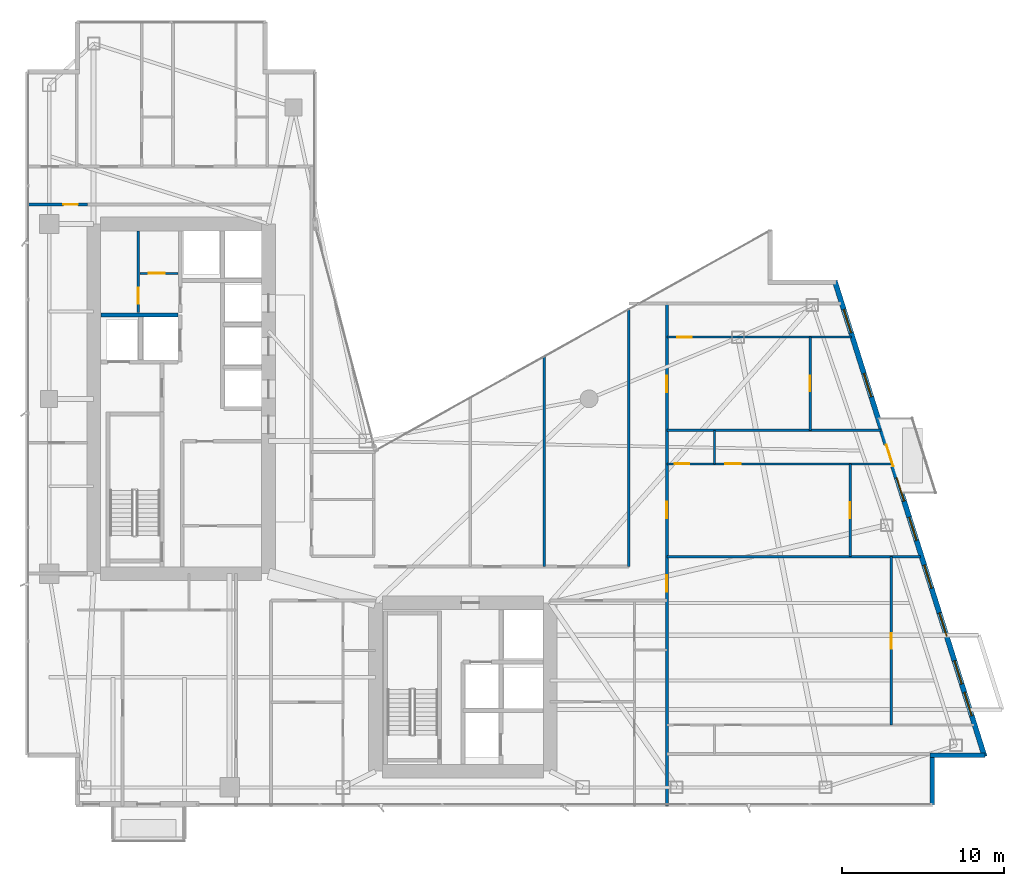
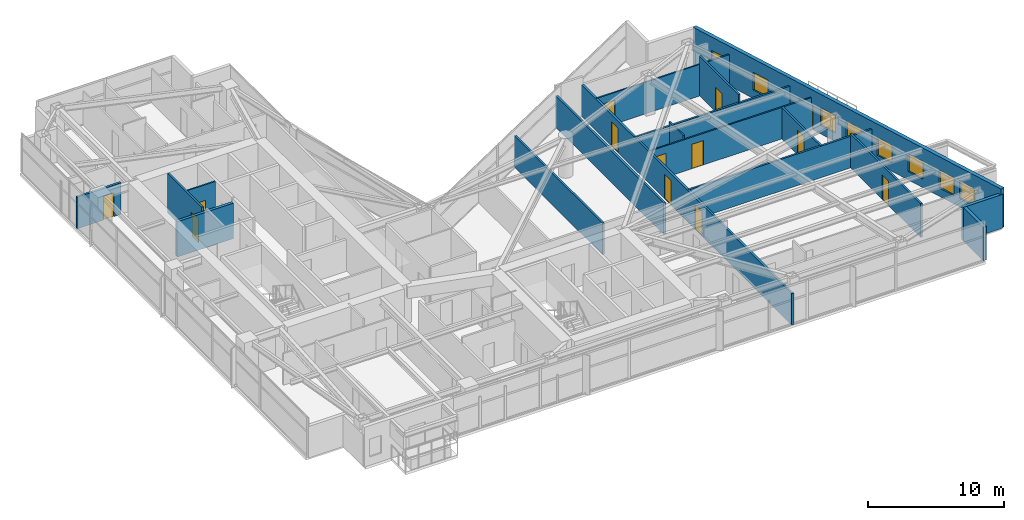
# One storey, part 24 of 28: 18 walls, 13 doors, 8 windows, 21 openings.
"""IFC4 building model written with IfcOpenShell, lengths in metres."""

from ifc_helpers import new_model, si_unit, direction, frame, frame_2d, origin, place, context, subcontext, project, spatial, rectangle, extrude, material, layer, layer_set, type_object, element, fill, save


model = new_model("IFC4")

# Units and contexts
model_context = context("Model", 3, precision=1e-05, world=origin(), true_north=direction((0.0, 1.0)))
body_context = subcontext(model_context, "Body", "Model", "MODEL_VIEW")
ifc_project = project(units=[si_unit("LENGTHUNIT", "METRE"), si_unit("AREAUNIT", "SQUARE_METRE"), si_unit("VOLUMEUNIT", "CUBIC_METRE"), si_unit("PLANEANGLEUNIT", "RADIAN"), si_unit("MASSUNIT", "GRAM", prefix="KILO")], contexts=[model_context])

# Site, building, storey
site_placement = place(None, origin())
site = spatial("IfcSite", under=ifc_project, at=site_placement, CompositionType="ELEMENT")
building_placement = place(site_placement, origin())
building = spatial("IfcBuilding", under=site, at=building_placement, Name="Calvorn Quay Hotel", CompositionType="ELEMENT")
storey_placement = place(building_placement, frame((0.0, 0.0, 116.39990234375)))
storey = spatial("IfcBuildingStorey", under=building, at=storey_placement, Name="L28", CompositionType="ELEMENT", Elevation=116.39990234375)

# Wall, opening, door
ifc_material_1 = material(Name="Acoustic Fireboard Steel-Stud Partition", Category="steel")
ifc_layer_1 = layer(ifc_material_1, 0.179931640625)
ifc_layer_set_1 = layer_set([ifc_layer_1], Name="WL-CORR-FIRE-180")
wall_type_1 = type_object("IfcWallType", Name="WL-CORR-FIRE-180", PredefinedType="PARTITIONING", material=ifc_layer_set_1)
wall_1_placement = place(storey_placement, frame((0.080078125, 39.60009765625, 0.0), z_axis=(0.0, 0.0, 1.0), x_axis=(1.0, 0.0, 0.0)))
wall_1 = element("IfcWall", 1, at=wall_1_placement, inside=storey, type_object=wall_type_1, Name="Partition Wall L28-WL-WBAY-N-DOOR", PredefinedType="PARTITIONING", context=body_context, shape_type="SweptSolid", body=[
    extrude(rectangle(XDim=3.724853515625, YDim=0.179931640625, at=frame_2d((1.8623046875, 0.0))), origin(), (0.0, 0.0, 1.0), 2.840087890625),
])
opening_1_placement = place(wall_1_placement, frame((2.25, 0.0, 0.0)))
opening_1 = element("IfcOpeningElement", 2, at=opening_1_placement, cuts=wall_1, Name="Opening D-L28-WBN", PredefinedType="OPENING", context=body_context, shape_type="SweptSolid", body=[
    extrude(rectangle(XDim=0.89990234375, YDim=2.14990234375, at=frame_2d((0.449951171875, 1.074951171875))), frame((0.0, 0.099853515625, 0.0), z_axis=(0.0, -1.0, 0.0), x_axis=(1.0, 0.0, 0.0)), (0.0, 0.0, 1.0), 0.199951171875),
])
ifc_material_2 = material(Name="Moisture-Sealed Timber En-Suite Door", Category="wood")
door_type_1 = type_object("IfcDoorType", Name="DR-ENSUITE-900", OperationType="NOTDEFINED", PredefinedType="DOOR", material=ifc_material_2)
door_1_placement = place(opening_1_placement, origin())
door_1 = element("IfcDoor", 3, at=door_1_placement, inside=storey, type_object=door_type_1, Name="West North Bay Door (L28)", OperationType="SINGLE_SWING_LEFT", OverallHeight=2.14990234375, OverallWidth=0.89990234375, PredefinedType="DOOR", context=body_context, shape_type="SweptSolid", body=[
    extrude(rectangle(XDim=0.89990234375, YDim=2.14990234375, at=frame_2d((0.449951171875, 1.074951171875))), frame((0.0, 0.02490234375, 0.0), z_axis=(0.0, -1.0, 0.0), x_axis=(1.0, 0.0, 0.0)), (0.0, 0.0, 1.0), 0.050048828125),
])
fill(opening_1, door_1)

# Wall
wall_2_placement = place(storey_placement, frame((37.25, 17.25, 0.0), z_axis=(0.0, 0.0, 1.0), x_axis=(0.0, 1.0, 0.0)))
element("IfcWall", 4, at=wall_2_placement, inside=storey, type_object=wall_type_1, Name="Partition Wall L28-WL-NE-END-E", PredefinedType="PARTITIONING", context=body_context, shape_type="SweptSolid", body=[
    extrude(rectangle(XDim=15.949951171875, YDim=0.179931640625, at=frame_2d((7.97509765625, 0.0))), origin(), (0.0, 0.0, 1.0), 2.840087890625),
])

# Wall, openings, doors
wall_3_placement = place(storey_placement, frame((39.60009765625, 2.43994140625, 0.0), z_axis=(0.0, 0.0, 1.0), x_axis=(0.0, 1.0, 0.0)))
wall_3 = element("IfcWall", 5, at=wall_3_placement, inside=storey, type_object=wall_type_1, Name="Partition Wall L28-WL-CORR-TIP-E", PredefinedType="PARTITIONING", context=body_context, shape_type="SweptSolid", body=[
    extrude(rectangle(XDim=31.0400390625, YDim=0.179931640625, at=frame_2d((15.52001953125, 0.0))), origin(), (0.0, 0.0, 1.0), 2.840087890625),
])
opening_2_placement = place(wall_3_placement, frame((13.260009765625, 0.0, 0.0)))
opening_2 = element("IfcOpeningElement", 6, at=opening_2_placement, cuts=wall_3, Name="Opening D-L28-U06", PredefinedType="OPENING", context=body_context, shape_type="SweptSolid", body=[
    extrude(rectangle(XDim=1.02001953125, YDim=2.199951171875, at=frame_2d((0.510009765625, 1.10009765625))), frame((0.0, 0.099853515625, 0.0), z_axis=(0.0, -1.0, 0.0), x_axis=(1.0, 0.0, 0.0)), (0.0, 0.0, 1.0), 0.199951171875),
])
opening_3_placement = place(wall_3_placement, frame((17.77001953125, 0.0, 0.0)))
opening_3 = element("IfcOpeningElement", 7, at=opening_3_placement, cuts=wall_3, Name="Opening D-L28-U07", PredefinedType="OPENING", context=body_context, shape_type="SweptSolid", body=[
    extrude(rectangle(XDim=1.02001953125, YDim=2.199951171875, at=frame_2d((0.510009765625, 1.10009765625))), frame((0.0, 0.099853515625, 0.0), z_axis=(0.0, -1.0, 0.0), x_axis=(1.0, 0.0, 0.0)), (0.0, 0.0, 1.0), 0.199951171875),
])
opening_4_placement = place(wall_3_placement, frame((25.580078125, 0.0, 0.0)))
opening_4 = element("IfcOpeningElement", 8, at=opening_4_placement, cuts=wall_3, Name="Opening D-L28-U08", PredefinedType="OPENING", context=body_context, shape_type="SweptSolid", body=[
    extrude(rectangle(XDim=1.02001953125, YDim=2.199951171875, at=frame_2d((0.510009765625, 1.10009765625))), frame((0.0, 0.099853515625, 0.0), z_axis=(0.0, -1.0, 0.0), x_axis=(1.0, 0.0, 0.0)), (0.0, 0.0, 1.0), 0.199951171875),
])
ifc_material_3 = material(Name="Solid-Core Walnut Veneer Hotel Fire Door")
door_type_2 = type_object("IfcDoorType", Name="DR-GUEST-ENTRY-1020", OperationType="NOTDEFINED", PredefinedType="DOOR", material=ifc_material_3)
door_2_placement = place(opening_2_placement, origin())
door_2 = element("IfcDoor", 9, at=door_2_placement, inside=storey, type_object=door_type_2, Name="Terrace Suite Door U06 (L28)", OperationType="SINGLE_SWING_LEFT", OverallHeight=2.199951171875, OverallWidth=1.02001953125, PredefinedType="DOOR", context=body_context, shape_type="SweptSolid", body=[
    extrude(rectangle(XDim=1.02001953125, YDim=2.199951171875, at=frame_2d((0.510009765625, 1.10009765625))), frame((0.0, 0.02490234375, 0.0), z_axis=(0.0, -1.0, 0.0), x_axis=(1.0, 0.0, 0.0)), (0.0, 0.0, 1.0), 0.050048828125),
])
fill(opening_2, door_2)
door_3_placement = place(opening_3_placement, origin())
door_3 = element("IfcDoor", 10, at=door_3_placement, inside=storey, type_object=door_type_2, Name="Mid-East Suite Door U07 (L28)", OperationType="SINGLE_SWING_RIGHT", OverallHeight=2.199951171875, OverallWidth=1.02001953125, PredefinedType="DOOR", context=body_context, shape_type="SweptSolid", body=[
    extrude(rectangle(XDim=1.02001953125, YDim=2.199951171875, at=frame_2d((0.510009765625, 1.10009765625))), frame((0.0, 0.02490234375, 0.0), z_axis=(0.0, -1.0, 0.0), x_axis=(1.0, 0.0, 0.0)), (0.0, 0.0, 1.0), 0.050048828125),
])
fill(opening_3, door_3)
door_4_placement = place(opening_4_placement, origin())
door_4 = element("IfcDoor", 11, at=door_4_placement, inside=storey, type_object=door_type_2, Name="Horizon Suite Door U08 (L28)", OperationType="SINGLE_SWING_LEFT", OverallHeight=2.199951171875, OverallWidth=1.02001953125, PredefinedType="DOOR", context=body_context, shape_type="SweptSolid", body=[
    extrude(rectangle(XDim=1.02001953125, YDim=2.199951171875, at=frame_2d((0.510009765625, 1.10009765625))), frame((0.0, 0.02490234375, 0.0), z_axis=(0.0, -1.0, 0.0), x_axis=(1.0, 0.0, 0.0)), (0.0, 0.0, 1.0), 0.050048828125),
])
fill(opening_4, door_4)

# Wall, opening, door
ifc_material_4 = material(Name="Moisture-Resistant Tile-Backed Partition")
ifc_layer_2 = layer(ifc_material_4, 0.125)
ifc_layer_set_2 = layer_set([ifc_layer_2], Name="WL-ENSUITE-125")
wall_type_2 = type_object("IfcWallType", Name="WL-ENSUITE-125", PredefinedType="PARTITIONING", material=ifc_layer_set_2)
wall_4_placement = place(storey_placement, frame((7.050048828125, 35.35009765625, 0.0), z_axis=(0.0, 0.0, 1.0), x_axis=(1.0, 0.0, 0.0)))
wall_4 = element("IfcWall", 12, at=wall_4_placement, inside=storey, type_object=wall_type_2, Name="Partition Wall L28-WL-CWW-K-H", PredefinedType="PARTITIONING", context=body_context, shape_type="SweptSolid", body=[
    extrude(rectangle(XDim=2.369873046875, YDim=0.125, at=frame_2d((1.18505859375, 0.0))), origin(), (0.0, 0.0, 1.0), 3.56005859375),
])
opening_5_placement = place(wall_4_placement, frame((0.550048828125, 0.0, 0.0)))
opening_5 = element("IfcOpeningElement", 13, at=opening_5_placement, cuts=wall_4, Name="Opening D-L28-CK3", PredefinedType="OPENING", context=body_context, shape_type="SweptSolid", body=[
    extrude(rectangle(XDim=0.97998046875, YDim=2.14990234375, at=frame_2d((0.489990234375, 1.074951171875))), frame((0.0, 0.072509765625, 0.0), z_axis=(0.0, -1.0, 0.0), x_axis=(1.0, 0.0, 0.0)), (0.0, 0.0, 1.0), 0.14501953125),
])
ifc_material_5 = material(Name="Painted Steel Housekeeping/Riser Fire Door", Category="steel")
door_type_3 = type_object("IfcDoorType", Name="DR-SERVICE-980", OperationType="NOTDEFINED", PredefinedType="DOOR", material=ifc_material_5)
door_5_placement = place(opening_5_placement, origin())
door_5 = element("IfcDoor", 14, at=door_5_placement, inside=storey, type_object=door_type_3, Name="Telecom Closet Door (L28)", OperationType="SINGLE_SWING_RIGHT", OverallHeight=2.14990234375, OverallWidth=0.97998046875, PredefinedType="DOOR", context=body_context, shape_type="SweptSolid", body=[
    extrude(rectangle(XDim=0.97998046875, YDim=2.14990234375, at=frame_2d((0.489990234375, 1.074951171875))), frame((0.0, 0.02490234375, 0.0), z_axis=(0.0, -1.0, 0.0), x_axis=(1.0, 0.0, 0.0)), (0.0, 0.0, 1.0), 0.050048828125),
])
fill(opening_5, door_5)

# Wall
wall_5_placement = place(storey_placement, frame((42.550048828125, 23.590087890625, 0.0), z_axis=(0.0, 0.0, 1.0), x_axis=(0.0, 1.0, 0.0)))
element("IfcWall", 15, at=wall_5_placement, inside=storey, type_object=wall_type_2, Name="Partition Wall L28-WL-U07-BDV", PredefinedType="PARTITIONING", context=body_context, shape_type="SweptSolid", body=[
    extrude(rectangle(XDim=2.06982421875, YDim=0.125, at=frame_2d((1.034912109375, 0.0))), origin(), (0.0, 0.0, 1.0), 3.190185546875),
])

# Wall, openings, doors
wall_6_placement = place(storey_placement, frame((39.60009765625, 23.590087890625, 0.0), z_axis=(0.0, 0.0, 1.0), x_axis=(1.0, 0.0, 0.0)))
wall_6 = element("IfcWall", 16, at=wall_6_placement, inside=storey, type_object=wall_type_2, Name="Partition Wall L28-WL-U07-BH", PredefinedType="PARTITIONING", context=body_context, shape_type="SweptSolid", body=[
    extrude(rectangle(XDim=13.869873046875, YDim=0.125, at=frame_2d((6.93505859375, 0.0))), origin(), (0.0, 0.0, 1.0), 2.840087890625),
])
opening_6_placement = place(wall_6_placement, frame((0.5, 0.0, 0.0)))
opening_6 = element("IfcOpeningElement", 17, at=opening_6_placement, cuts=wall_6, Name="Opening D-L28-E07", PredefinedType="OPENING", context=body_context, shape_type="SweptSolid", body=[
    extrude(rectangle(XDim=0.89990234375, YDim=2.14990234375, at=frame_2d((0.449951171875, 1.074951171875))), frame((0.0, 0.072509765625, 0.0), z_axis=(0.0, -1.0, 0.0), x_axis=(1.0, 0.0, 0.0)), (0.0, 0.0, 1.0), 0.14501953125),
])
opening_7_placement = place(wall_6_placement, frame((3.60009765625, 0.0, 0.0)))
opening_7 = element("IfcOpeningElement", 18, at=opening_7_placement, cuts=wall_6, Name="Opening D-L28-S07", PredefinedType="OPENING", context=body_context, shape_type="SweptSolid", body=[
    extrude(rectangle(XDim=0.9599609375, YDim=2.199951171875, at=frame_2d((0.47998046875, 1.10009765625))), frame((0.0, 0.072509765625, 0.0), z_axis=(0.0, -1.0, 0.0), x_axis=(1.0, 0.0, 0.0)), (0.0, 0.0, 1.0), 0.14501953125),
])
door_6_placement = place(opening_6_placement, origin())
door_6 = element("IfcDoor", 19, at=door_6_placement, inside=storey, type_object=door_type_1, Name="En-Suite Door 07", OperationType="SINGLE_SWING_LEFT", OverallHeight=2.14990234375, OverallWidth=0.89990234375, PredefinedType="DOOR", context=body_context, shape_type="SweptSolid", body=[
    extrude(rectangle(XDim=0.89990234375, YDim=2.14990234375, at=frame_2d((0.449951171875, 1.074951171875))), frame((0.0, 0.02490234375, 0.0), z_axis=(0.0, -1.0, 0.0), x_axis=(1.0, 0.0, 0.0)), (0.0, 0.0, 1.0), 0.050048828125),
])
fill(opening_6, door_6)
ifc_material_6 = material(Name="Solid Timber Internal Suite Door", Category="wood")
door_type_4 = type_object("IfcDoorType", Name="DR-SUITE-INT-960", OperationType="NOTDEFINED", PredefinedType="DOOR", material=ifc_material_6)
door_7_placement = place(opening_7_placement, origin())
door_7 = element("IfcDoor", 20, at=door_7_placement, inside=storey, type_object=door_type_4, Name="Executive Study Door 07", OperationType="SINGLE_SWING_RIGHT", OverallHeight=2.199951171875, OverallWidth=0.9599609375, PredefinedType="DOOR", context=body_context, shape_type="SweptSolid", body=[
    extrude(rectangle(XDim=0.9599609375, YDim=2.199951171875, at=frame_2d((0.47998046875, 1.10009765625))), frame((0.0, 0.02490234375, 0.0), z_axis=(0.0, -1.0, 0.0), x_axis=(1.0, 0.0, 0.0)), (0.0, 0.0, 1.0), 0.050048828125),
])
fill(opening_7, door_7)

# Wall, opening, door
wall_7_placement = place(storey_placement, frame((39.60009765625, 31.409912109375, 0.0), z_axis=(0.0, 0.0, 1.0), x_axis=(1.0, 0.0, 0.0)))
wall_7 = element("IfcWall", 21, at=wall_7_placement, inside=storey, type_object=wall_type_2, Name="Partition Wall L28-WL-U08-BH", PredefinedType="PARTITIONING", context=body_context, shape_type="SweptSolid", body=[
    extrude(rectangle(XDim=11.409912109375, YDim=0.125, at=frame_2d((5.705078125, 0.0))), origin(), (0.0, 0.0, 1.0), 2.840087890625),
])
opening_8_placement = place(wall_7_placement, frame((0.64990234375, 0.0, 0.0)))
opening_8 = element("IfcOpeningElement", 22, at=opening_8_placement, cuts=wall_7, Name="Opening D-L28-E08", PredefinedType="OPENING", context=body_context, shape_type="SweptSolid", body=[
    extrude(rectangle(XDim=0.89990234375, YDim=2.14990234375, at=frame_2d((0.449951171875, 1.074951171875))), frame((0.0, 0.072509765625, 0.0), z_axis=(0.0, -1.0, 0.0), x_axis=(1.0, 0.0, 0.0)), (0.0, 0.0, 1.0), 0.14501953125),
])
door_8_placement = place(opening_8_placement, origin())
door_8 = element("IfcDoor", 23, at=door_8_placement, inside=storey, type_object=door_type_1, Name="En-Suite Door 08", OperationType="SINGLE_SWING_LEFT", OverallHeight=2.14990234375, OverallWidth=0.89990234375, PredefinedType="DOOR", context=body_context, shape_type="SweptSolid", body=[
    extrude(rectangle(XDim=0.89990234375, YDim=2.14990234375, at=frame_2d((0.449951171875, 1.074951171875))), frame((0.0, 0.02490234375, 0.0), z_axis=(0.0, -1.0, 0.0), x_axis=(1.0, 0.0, 0.0)), (0.0, 0.0, 1.0), 0.050048828125),
])
fill(opening_8, door_8)

# Walls
ifc_material_7 = material(Name="Concrete C40", Category="concrete")
ifc_layer_3 = layer(ifc_material_7, 0.320068359375)
ifc_layer_set_3 = layer_set([ifc_layer_3], Name="WL-EXT-SPANDREL-320")
wall_type_3 = type_object("IfcWallType", Name="WL-EXT-SPANDREL-320", PredefinedType="SOLIDWALL", material=ifc_layer_set_3)
wall_8_placement = place(storey_placement, frame((56.0, 2.52001953125, 0.0), z_axis=(0.0, 0.0, 1.0), x_axis=(0.0, 1.0, 0.0)))
element("IfcWall", 24, at=wall_8_placement, inside=storey, type_object=wall_type_3, Name="Notched Corner Spandrel L28-SE1", PredefinedType="SOLIDWALL", context=body_context, shape_type="SweptSolid", body=[
    extrude(rectangle(XDim=2.93994140625, YDim=0.280029296875, at=frame_2d((1.469970703125, 0.0))), origin(), (0.0, 0.0, 1.0), 3.0400390625),
])
wall_9_placement = place(storey_placement, frame((55.860107421875, 5.60009765625, 0.0), z_axis=(0.0, 0.0, 1.0), x_axis=(1.0, 0.0, 0.0)))
element("IfcWall", 25, at=wall_9_placement, inside=storey, type_object=wall_type_3, Name="Notched Corner Spandrel L28-SE2", PredefinedType="SOLIDWALL", context=body_context, shape_type="SweptSolid", body=[
    extrude(rectangle(XDim=3.3798828125, YDim=0.280029296875, at=frame_2d((1.68994140625, 0.0))), origin(), (0.0, 0.0, 1.0), 3.0400390625),
])

# Wall, openings, door, windows
wall_10_placement = place(storey_placement, frame((59.22998046875, 5.5048828125, 0.0), z_axis=(0.0, 0.0, 1.0), x_axis=(-0.300509063924, 0.953778958931, 0.0)))
wall_10 = element("IfcWall", 26, at=wall_10_placement, inside=storey, type_object=wall_type_3, Name="East Stepped Waterfront Exterior Wall (L28)", PredefinedType="SOLIDWALL", context=body_context, shape_type="SweptSolid", body=[
    extrude(rectangle(XDim=30.814453125, YDim=0.320068359375, at=frame_2d((15.4072265625, 0.0))), origin(), (0.0, 0.0, 1.0), 3.56005859375),
])
opening_9_placement = place(wall_10_placement, frame((18.7958984375, 0.0, 0.0)))
opening_9 = element("IfcOpeningElement", 27, at=opening_9_placement, cuts=wall_10, Name="Opening DB-L28-1", PredefinedType="OPENING", context=body_context, shape_type="SweptSolid", body=[
    extrude(rectangle(XDim=1.39990234375, YDim=2.25, at=frame_2d((0.699951171875, 1.125))), frame((0.0, 0.169921875, 0.0), z_axis=(0.0, -1.0, 0.0), x_axis=(1.0, 0.0, 0.0)), (0.0, 0.0, 1.0), 0.340087890625),
])
opening_10_placement = place(wall_10_placement, frame((2.64990234375, 0.0, 0.75)))
opening_10 = element("IfcOpeningElement", 28, at=opening_10_placement, cuts=wall_10, Name="Opening WG-L28-E1", PredefinedType="OPENING", context=body_context, shape_type="SweptSolid", body=[
    extrude(rectangle(XDim=1.5, YDim=1.60009765625, at=frame_2d((0.75, 0.800048828125))), frame((0.0, 0.169921875, 0.0), z_axis=(0.0, -1.0, 0.0), x_axis=(1.0, 0.0, 0.0)), (0.0, 0.0, 1.0), 0.340087890625),
])
opening_11_placement = place(wall_10_placement, frame((4.699951171875, 0.0, 0.75)))
opening_11 = element("IfcOpeningElement", 29, at=opening_11_placement, cuts=wall_10, Name="Opening WG-L28-E2", PredefinedType="OPENING", context=body_context, shape_type="SweptSolid", body=[
    extrude(rectangle(XDim=1.5, YDim=1.60009765625, at=frame_2d((0.75, 0.800048828125))), frame((0.0, 0.169921875, 0.0), z_axis=(0.0, -1.0, 0.0), x_axis=(1.0, 0.0, 0.0)), (0.0, 0.0, 1.0), 0.340087890625),
])
opening_12_placement = place(wall_10_placement, frame((7.800048828125, 0.0, 0.75)))
opening_12 = element("IfcOpeningElement", 30, at=opening_12_placement, cuts=wall_10, Name="Opening WG-L28-E3", PredefinedType="OPENING", context=body_context, shape_type="SweptSolid", body=[
    extrude(rectangle(XDim=1.5, YDim=1.60009765625, at=frame_2d((0.75, 0.800048828125))), frame((0.0, 0.169921875, 0.0), z_axis=(0.0, -1.0, 0.0), x_axis=(1.0, 0.0, 0.0)), (0.0, 0.0, 1.0), 0.340087890625),
])
opening_13_placement = place(wall_10_placement, frame((10.89990234375, 0.0, 0.75)))
opening_13 = element("IfcOpeningElement", 31, at=opening_13_placement, cuts=wall_10, Name="Opening WG-L28-E4", PredefinedType="OPENING", context=body_context, shape_type="SweptSolid", body=[
    extrude(rectangle(XDim=1.5, YDim=1.60009765625, at=frame_2d((0.75, 0.800048828125))), frame((0.0, 0.169921875, 0.0), z_axis=(0.0, -1.0, 0.0), x_axis=(1.0, 0.0, 0.0)), (0.0, 0.0, 1.0), 0.340087890625),
])
opening_14_placement = place(wall_10_placement, frame((14.0, 0.0, 0.75)))
opening_14 = element("IfcOpeningElement", 32, at=opening_14_placement, cuts=wall_10, Name="Opening WG-L28-E5", PredefinedType="OPENING", context=body_context, shape_type="SweptSolid", body=[
    extrude(rectangle(XDim=1.5, YDim=1.60009765625, at=frame_2d((0.75, 0.800048828125))), frame((0.0, 0.169921875, 0.0), z_axis=(0.0, -1.0, 0.0), x_axis=(1.0, 0.0, 0.0)), (0.0, 0.0, 1.0), 0.340087890625),
])
opening_15_placement = place(wall_10_placement, frame((16.550048828125, 0.0, 0.75)))
opening_15 = element("IfcOpeningElement", 33, at=opening_15_placement, cuts=wall_10, Name="Opening WG-L28-E6", PredefinedType="OPENING", context=body_context, shape_type="SweptSolid", body=[
    extrude(rectangle(XDim=1.5, YDim=1.60009765625, at=frame_2d((0.75, 0.800048828125))), frame((0.0, 0.169921875, 0.0), z_axis=(0.0, -1.0, 0.0), x_axis=(1.0, 0.0, 0.0)), (0.0, 0.0, 1.0), 0.340087890625),
])
opening_16_placement = place(wall_10_placement, frame((23.300048828125, 0.0, 0.75)))
opening_16 = element("IfcOpeningElement", 34, at=opening_16_placement, cuts=wall_10, Name="Opening WG-L28-E7", PredefinedType="OPENING", context=body_context, shape_type="SweptSolid", body=[
    extrude(rectangle(XDim=1.5, YDim=1.60009765625, at=frame_2d((0.75, 0.800048828125))), frame((0.0, 0.169921875, 0.0), z_axis=(0.0, -1.0, 0.0), x_axis=(1.0, 0.0, 0.0)), (0.0, 0.0, 1.0), 0.340087890625),
])
opening_17_placement = place(wall_10_placement, frame((27.449951171875, 0.0, 0.75)))
opening_17 = element("IfcOpeningElement", 35, at=opening_17_placement, cuts=wall_10, Name="Opening WG-L28-E8", PredefinedType="OPENING", context=body_context, shape_type="SweptSolid", body=[
    extrude(rectangle(XDim=1.5, YDim=1.60009765625, at=frame_2d((0.75, 0.800048828125))), frame((0.0, 0.169921875, 0.0), z_axis=(0.0, -1.0, 0.0), x_axis=(1.0, 0.0, 0.0)), (0.0, 0.0, 1.0), 0.340087890625),
])
ifc_material_8 = material(Name="Typhoon-Rated Low-E Aluminium Terrace Door", Category="aluminium")
door_type_5 = type_object("IfcDoorType", Name="DR-BALCONY-GLZ-1400", OperationType="NOTDEFINED", PredefinedType="DOOR", material=ifc_material_8)
door_9_placement = place(opening_9_placement, origin())
door_9 = element("IfcDoor", 36, at=door_9_placement, inside=storey, type_object=door_type_5, Name="Tree Balcony Terrace Door L28-BALC-E", OperationType="SINGLE_SWING_LEFT", OverallHeight=2.25, OverallWidth=1.39990234375, PredefinedType="DOOR", context=body_context, shape_type="SweptSolid", body=[
    extrude(rectangle(XDim=1.39990234375, YDim=2.25, at=frame_2d((0.699951171875, 1.125))), frame((0.0, 0.02490234375, 0.0), z_axis=(0.0, -1.0, 0.0), x_axis=(1.0, 0.0, 0.0)), (0.0, 0.0, 1.0), 0.050048828125),
])
fill(opening_9, door_9)
ifc_material_9 = material(Name="Self-Closing Class B Fire Window")
window_type = type_object("IfcWindowType", Name="WIN-REFUGE-1500x1600", PartitioningType="SINGLE_PANEL", PredefinedType="WINDOW", material=ifc_material_9)
window_1_placement = place(opening_10_placement, origin())
window_1 = element("IfcWindow", 37, at=window_1_placement, inside=storey, type_object=window_type, Name="East Facade Window L28-E1", OverallHeight=1.60009765625, OverallWidth=1.5, PartitioningType="SINGLE_PANEL", PredefinedType="WINDOW", context=body_context, shape_type="SweptSolid", body=[
    extrude(rectangle(XDim=1.5, YDim=1.60009765625, at=frame_2d((0.75, 0.800048828125))), frame((0.0, 0.030029296875, 0.0), z_axis=(0.0, -1.0, 0.0), x_axis=(1.0, 0.0, 0.0)), (0.0, 0.0, 1.0), 0.06005859375),
])
fill(opening_10, window_1)
window_2_placement = place(opening_11_placement, origin())
window_2 = element("IfcWindow", 38, at=window_2_placement, inside=storey, type_object=window_type, Name="East Facade Window L28-E2", OverallHeight=1.60009765625, OverallWidth=1.5, PartitioningType="SINGLE_PANEL", PredefinedType="WINDOW", context=body_context, shape_type="SweptSolid", body=[
    extrude(rectangle(XDim=1.5, YDim=1.60009765625, at=frame_2d((0.75, 0.800048828125))), frame((0.0, 0.030029296875, 0.0), z_axis=(0.0, -1.0, 0.0), x_axis=(1.0, 0.0, 0.0)), (0.0, 0.0, 1.0), 0.06005859375),
])
fill(opening_11, window_2)
window_3_placement = place(opening_12_placement, origin())
window_3 = element("IfcWindow", 39, at=window_3_placement, inside=storey, type_object=window_type, Name="East Facade Window L28-E3", OverallHeight=1.60009765625, OverallWidth=1.5, PartitioningType="SINGLE_PANEL", PredefinedType="WINDOW", context=body_context, shape_type="SweptSolid", body=[
    extrude(rectangle(XDim=1.5, YDim=1.60009765625, at=frame_2d((0.75, 0.800048828125))), frame((0.0, 0.030029296875, 0.0), z_axis=(0.0, -1.0, 0.0), x_axis=(1.0, 0.0, 0.0)), (0.0, 0.0, 1.0), 0.06005859375),
])
fill(opening_12, window_3)
window_4_placement = place(opening_13_placement, origin())
window_4 = element("IfcWindow", 40, at=window_4_placement, inside=storey, type_object=window_type, Name="East Facade Window L28-E4", OverallHeight=1.60009765625, OverallWidth=1.5, PartitioningType="SINGLE_PANEL", PredefinedType="WINDOW", context=body_context, shape_type="SweptSolid", body=[
    extrude(rectangle(XDim=1.5, YDim=1.60009765625, at=frame_2d((0.75, 0.800048828125))), frame((0.0, 0.030029296875, 0.0), z_axis=(0.0, -1.0, 0.0), x_axis=(1.0, 0.0, 0.0)), (0.0, 0.0, 1.0), 0.06005859375),
])
fill(opening_13, window_4)
window_5_placement = place(opening_14_placement, origin())
window_5 = element("IfcWindow", 41, at=window_5_placement, inside=storey, type_object=window_type, Name="East Facade Window L28-E5", OverallHeight=1.60009765625, OverallWidth=1.5, PartitioningType="SINGLE_PANEL", PredefinedType="WINDOW", context=body_context, shape_type="SweptSolid", body=[
    extrude(rectangle(XDim=1.5, YDim=1.60009765625, at=frame_2d((0.75, 0.800048828125))), frame((0.0, 0.030029296875, 0.0), z_axis=(0.0, -1.0, 0.0), x_axis=(1.0, 0.0, 0.0)), (0.0, 0.0, 1.0), 0.06005859375),
])
fill(opening_14, window_5)
window_6_placement = place(opening_15_placement, origin())
window_6 = element("IfcWindow", 42, at=window_6_placement, inside=storey, type_object=window_type, Name="East Facade Window L28-E6", OverallHeight=1.60009765625, OverallWidth=1.5, PartitioningType="SINGLE_PANEL", PredefinedType="WINDOW", context=body_context, shape_type="SweptSolid", body=[
    extrude(rectangle(XDim=1.5, YDim=1.60009765625, at=frame_2d((0.75, 0.800048828125))), frame((0.0, 0.030029296875, 0.0), z_axis=(0.0, -1.0, 0.0), x_axis=(1.0, 0.0, 0.0)), (0.0, 0.0, 1.0), 0.06005859375),
])
fill(opening_15, window_6)
window_7_placement = place(opening_16_placement, origin())
window_7 = element("IfcWindow", 43, at=window_7_placement, inside=storey, type_object=window_type, Name="East Facade Window L28-E7", OverallHeight=1.60009765625, OverallWidth=1.5, PartitioningType="SINGLE_PANEL", PredefinedType="WINDOW", context=body_context, shape_type="SweptSolid", body=[
    extrude(rectangle(XDim=1.5, YDim=1.60009765625, at=frame_2d((0.75, 0.800048828125))), frame((0.0, 0.030029296875, 0.0), z_axis=(0.0, -1.0, 0.0), x_axis=(1.0, 0.0, 0.0)), (0.0, 0.0, 1.0), 0.06005859375),
])
fill(opening_16, window_7)
window_8_placement = place(opening_17_placement, origin())
window_8 = element("IfcWindow", 44, at=window_8_placement, inside=storey, type_object=window_type, Name="East Facade Window L28-E8", OverallHeight=1.60009765625, OverallWidth=1.5, PartitioningType="SINGLE_PANEL", PredefinedType="WINDOW", context=body_context, shape_type="SweptSolid", body=[
    extrude(rectangle(XDim=1.5, YDim=1.60009765625, at=frame_2d((0.75, 0.800048828125))), frame((0.0, 0.030029296875, 0.0), z_axis=(0.0, -1.0, 0.0), x_axis=(1.0, 0.0, 0.0)), (0.0, 0.0, 1.0), 0.06005859375),
])
fill(opening_17, window_8)

# Wall, opening, door
ifc_material_10 = material(Name="Double-Stud Acoustic Gypsum Partition")
ifc_layer_4 = layer(ifc_material_10, 0.159912109375)
ifc_layer_set_4 = layer_set([ifc_layer_4], Name="WL-INTERSUITE-160")
wall_type_4 = type_object("IfcWallType", Name="WL-INTERSUITE-160", PredefinedType="PARTITIONING", material=ifc_layer_set_4)
wall_11_placement = place(storey_placement, frame((6.949951171875, 32.919921875, 0.0), z_axis=(0.0, 0.0, 1.0), x_axis=(0.0, 1.0, 0.0)))
wall_11 = element("IfcWall", 45, at=wall_11_placement, inside=storey, type_object=wall_type_4, Name="Partition Wall L28-WL-CWW-K-V", PredefinedType="PARTITIONING", context=body_context, shape_type="SweptSolid", body=[
    extrude(rectangle(XDim=5.03515625, YDim=0.159912109375, at=frame_2d((2.517578125, 0.0))), origin(), (0.0, 0.0, 1.0), 3.56005859375),
])
opening_18_placement = place(wall_11_placement, frame((0.550048828125, 0.0, 0.0)))
opening_18 = element("IfcOpeningElement", 46, at=opening_18_placement, cuts=wall_11, Name="Opening D-L28-CK1", PredefinedType="OPENING", context=body_context, shape_type="SweptSolid", body=[
    extrude(rectangle(XDim=0.97998046875, YDim=2.14990234375, at=frame_2d((0.489990234375, 1.074951171875))), frame((0.0, 0.08984375, 0.0), z_axis=(0.0, -1.0, 0.0), x_axis=(1.0, 0.0, 0.0)), (0.0, 0.0, 1.0), 0.179931640625),
])
door_10_placement = place(opening_18_placement, origin())
door_10 = element("IfcDoor", 47, at=door_10_placement, inside=storey, type_object=door_type_3, Name="Pipe Riser Door (L28)", OperationType="SINGLE_SWING_LEFT", OverallHeight=2.14990234375, OverallWidth=0.97998046875, PredefinedType="DOOR", context=body_context, shape_type="SweptSolid", body=[
    extrude(rectangle(XDim=0.97998046875, YDim=2.14990234375, at=frame_2d((0.489990234375, 1.074951171875))), frame((0.0, 0.02490234375, 0.0), z_axis=(0.0, -1.0, 0.0), x_axis=(1.0, 0.0, 0.0)), (0.0, 0.0, 1.0), 0.050048828125),
])
fill(opening_18, door_10)

# Wall
wall_12_placement = place(storey_placement, frame((32.030029296875, 17.25, 0.0), z_axis=(0.0, 0.0, 1.0), x_axis=(0.0, 1.0, 0.0)))
element("IfcWall", 48, at=wall_12_placement, inside=storey, type_object=wall_type_4, Name="Partition Wall L28-WL-NE-DIV-2", PredefinedType="PARTITIONING", context=body_context, shape_type="SweptSolid", body=[
    extrude(rectangle(XDim=13.0400390625, YDim=0.159912109375, at=frame_2d((6.52001953125, 0.0))), origin(), (0.0, 0.0, 1.0), 2.840087890625),
])

# Wall, opening, door
wall_13_placement = place(storey_placement, frame((53.4599609375, 7.449951171875, 0.0), z_axis=(0.0, 0.0, 1.0), x_axis=(0.0, 1.0, 0.0)))
wall_13 = element("IfcWall", 49, at=wall_13_placement, inside=storey, type_object=wall_type_4, Name="Partition Wall L28-WL-U06-MSP", PredefinedType="PARTITIONING", context=body_context, shape_type="SweptSolid", body=[
    extrude(rectangle(XDim=10.400146484375, YDim=0.159912109375, at=frame_2d((5.2001953125, 0.0))), origin(), (0.0, 0.0, 1.0), 3.0400390625),
])
opening_19_placement = place(wall_13_placement, frame((4.719970703125, 0.0, 0.0)))
opening_19 = element("IfcOpeningElement", 50, at=opening_19_placement, cuts=wall_13, Name="Opening D-L28-M06", PredefinedType="OPENING", context=body_context, shape_type="SweptSolid", body=[
    extrude(rectangle(XDim=0.9599609375, YDim=2.199951171875, at=frame_2d((0.47998046875, 1.10009765625))), frame((0.0, 0.08984375, 0.0), z_axis=(0.0, -1.0, 0.0), x_axis=(1.0, 0.0, 0.0)), (0.0, 0.0, 1.0), 0.179931640625),
])
door_11_placement = place(opening_19_placement, origin())
door_11 = element("IfcDoor", 51, at=door_11_placement, inside=storey, type_object=door_type_4, Name="Suite Bedroom Door 06", OperationType="SINGLE_SWING_LEFT", OverallHeight=2.199951171875, OverallWidth=0.9599609375, PredefinedType="DOOR", context=body_context, shape_type="SweptSolid", body=[
    extrude(rectangle(XDim=0.9599609375, YDim=2.199951171875, at=frame_2d((0.47998046875, 1.10009765625))), frame((0.0, 0.02490234375, 0.0), z_axis=(0.0, -1.0, 0.0), x_axis=(1.0, 0.0, 0.0)), (0.0, 0.0, 1.0), 0.050048828125),
])
fill(opening_19, door_11)

wall_14_placement = place(storey_placement, frame((50.919921875, 17.85009765625, 0.0), z_axis=(0.0, 0.0, 1.0), x_axis=(0.0, 1.0, 0.0)))
wall_14 = element("IfcWall", 52, at=wall_14_placement, inside=storey, type_object=wall_type_4, Name="Partition Wall L28-WL-U07-MSP", PredefinedType="PARTITIONING", context=body_context, shape_type="SweptSolid", body=[
    extrude(rectangle(XDim=5.739990234375, YDim=0.159912109375, at=frame_2d((2.8701171875, 0.0))), origin(), (0.0, 0.0, 1.0), 2.840087890625),
])
opening_20_placement = place(wall_14_placement, frame((2.389892578125, 0.0, 0.0)))
opening_20 = element("IfcOpeningElement", 53, at=opening_20_placement, cuts=wall_14, Name="Opening D-L28-M07", PredefinedType="OPENING", context=body_context, shape_type="SweptSolid", body=[
    extrude(rectangle(XDim=0.9599609375, YDim=2.199951171875, at=frame_2d((0.47998046875, 1.10009765625))), frame((0.0, 0.08984375, 0.0), z_axis=(0.0, -1.0, 0.0), x_axis=(1.0, 0.0, 0.0)), (0.0, 0.0, 1.0), 0.179931640625),
])
door_12_placement = place(opening_20_placement, origin())
door_12 = element("IfcDoor", 54, at=door_12_placement, inside=storey, type_object=door_type_4, Name="Suite Bedroom Door 07", OperationType="SINGLE_SWING_LEFT", OverallHeight=2.199951171875, OverallWidth=0.9599609375, PredefinedType="DOOR", context=body_context, shape_type="SweptSolid", body=[
    extrude(rectangle(XDim=0.9599609375, YDim=2.199951171875, at=frame_2d((0.47998046875, 1.10009765625))), frame((0.0, 0.02490234375, 0.0), z_axis=(0.0, -1.0, 0.0), x_axis=(1.0, 0.0, 0.0)), (0.0, 0.0, 1.0), 0.050048828125),
])
fill(opening_20, door_12)

wall_15_placement = place(storey_placement, frame((48.449951171875, 25.659912109375, 0.0), z_axis=(0.0, 0.0, 1.0), x_axis=(0.0, 1.0, 0.0)))
wall_15 = element("IfcWall", 55, at=wall_15_placement, inside=storey, type_object=wall_type_4, Name="Partition Wall L28-WL-U08-MSP", PredefinedType="PARTITIONING", context=body_context, shape_type="SweptSolid", body=[
    extrude(rectangle(XDim=5.75, YDim=0.159912109375, at=frame_2d((2.875, 0.0))), origin(), (0.0, 0.0, 1.0), 3.56005859375),
])
opening_21_placement = place(wall_15_placement, frame((2.39990234375, 0.0, 0.0)))
opening_21 = element("IfcOpeningElement", 56, at=opening_21_placement, cuts=wall_15, Name="Opening D-L28-M08", PredefinedType="OPENING", context=body_context, shape_type="SweptSolid", body=[
    extrude(rectangle(XDim=0.9599609375, YDim=2.199951171875, at=frame_2d((0.47998046875, 1.10009765625))), frame((0.0, 0.08984375, 0.0), z_axis=(0.0, -1.0, 0.0), x_axis=(1.0, 0.0, 0.0)), (0.0, 0.0, 1.0), 0.179931640625),
])
door_13_placement = place(opening_21_placement, origin())
door_13 = element("IfcDoor", 57, at=door_13_placement, inside=storey, type_object=door_type_4, Name="Suite Bedroom Door 08", OperationType="SINGLE_SWING_LEFT", OverallHeight=2.199951171875, OverallWidth=0.9599609375, PredefinedType="DOOR", context=body_context, shape_type="SweptSolid", body=[
    extrude(rectangle(XDim=0.9599609375, YDim=2.199951171875, at=frame_2d((0.47998046875, 1.10009765625))), frame((0.0, 0.02490234375, 0.0), z_axis=(0.0, -1.0, 0.0), x_axis=(1.0, 0.0, 0.0)), (0.0, 0.0, 1.0), 0.050048828125),
])
fill(opening_21, door_13)

# Walls
wall_16_placement = place(storey_placement, frame((39.60009765625, 25.659912109375, 0.0), z_axis=(0.0, 0.0, 1.0), x_axis=(1.0, 0.0, 0.0)))
element("IfcWall", 58, at=wall_16_placement, inside=storey, type_object=wall_type_4, Name="Partition Wall L28-WL-TIP-DIV2", PredefinedType="PARTITIONING", context=body_context, shape_type="SweptSolid", body=[
    extrude(rectangle(XDim=13.219970703125, YDim=0.159912109375, at=frame_2d((6.60986328125, 0.0))), origin(), (0.0, 0.0, 1.0), 2.840087890625),
])
wall_17_placement = place(storey_placement, frame((39.60009765625, 17.85009765625, 0.0), z_axis=(0.0, 0.0, 1.0), x_axis=(1.0, 0.0, 0.0)))
element("IfcWall", 59, at=wall_17_placement, inside=storey, type_object=wall_type_4, Name="Partition Wall L28-WL-TIP-DIV", PredefinedType="PARTITIONING", context=body_context, shape_type="SweptSolid", body=[
    extrude(rectangle(XDim=15.679931640625, YDim=0.159912109375, at=frame_2d((7.83984375, 0.0))), origin(), (0.0, 0.0, 1.0), 2.840087890625),
])
ifc_material_11 = material(Name="Concrete C40", Category="concrete")
ifc_layer_5 = layer(ifc_material_11, 0.239990234375)
ifc_layer_set_5 = layer_set([ifc_layer_5], Name="WL-SHAFT-240")
wall_type_5 = type_object("IfcWallType", Name="WL-SHAFT-240", PredefinedType="SOLIDWALL", material=ifc_layer_set_5)
wall_18_placement = place(storey_placement, frame((4.64501953125, 32.780029296875, 0.0), z_axis=(0.0, 0.0, 1.0), x_axis=(1.0, 0.0, 0.0)))
element("IfcWall", 60, at=wall_18_placement, inside=storey, type_object=wall_type_5, Name="Partition Wall L28-WL-CWW-SLW-N", PredefinedType="SOLIDWALL", context=body_context, shape_type="SweptSolid", body=[
    extrude(rectangle(XDim=4.77490234375, YDim=0.239990234375, at=frame_2d((2.387451171875, 0.0))), origin(), (0.0, 0.0, 1.0), 3.190185546875),
])

save(model, "model.ifc")
